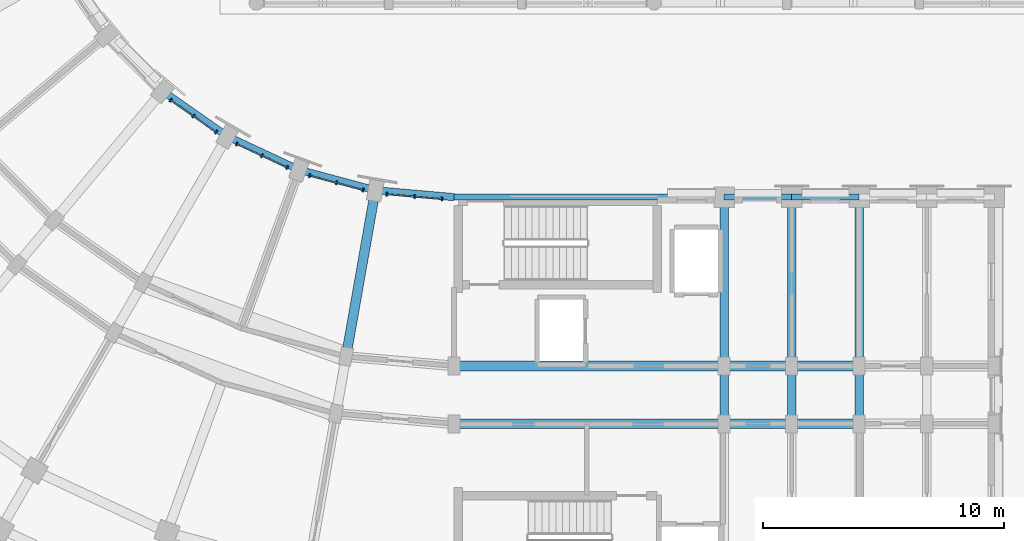
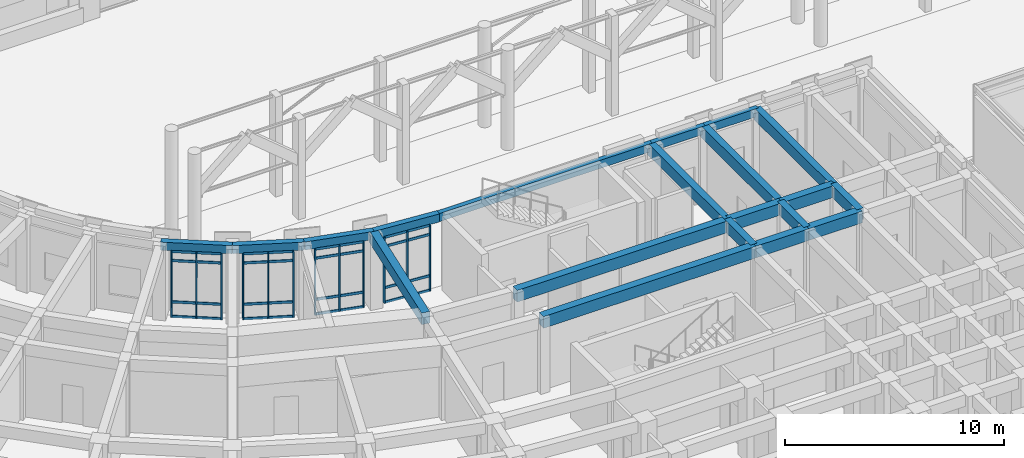
# One storey, part 18 of 135: 28 members, 20 beams, 4 elements without a shape of their own.
"""IFC4 building model written with IfcOpenShell, lengths in metres."""

from ifc_helpers import new_model, si_unit, direction, frame, origin, origin_2d, place, context, subcontext, project, spatial, rectangle, extrude, material, material_profile, profile_set, type_object, element, aggregate, save


model = new_model("IFC4")

# Units and contexts
model_context = context("Model", 3, precision=1e-05, world=origin(), true_north=direction((0.0, 1.0)))
body_context = subcontext(model_context, "Body", "Model", "MODEL_VIEW")
ifc_project = project(units=[si_unit("LENGTHUNIT", "METRE"), si_unit("AREAUNIT", "SQUARE_METRE"), si_unit("VOLUMEUNIT", "CUBIC_METRE"), si_unit("PLANEANGLEUNIT", "RADIAN"), si_unit("MASSUNIT", "GRAM", prefix="KILO")], contexts=[model_context])

# Site, building, storey
site_placement = place(None, origin())
site = spatial("IfcSite", under=ifc_project, at=site_placement, CompositionType="ELEMENT")
building_placement = place(site_placement, origin())
building = spatial("IfcBuilding", under=site, at=building_placement, Name="Kiranvali Square Residences", CompositionType="ELEMENT")
storey_placement = place(building_placement, origin())
storey = spatial("IfcBuildingStorey", under=building, at=storey_placement, Name="L00", CompositionType="ELEMENT", Elevation=0.0)

# Beams
ifc_material_1 = material(Name="Concrete M40 (40 MPa)", Category="concrete")
ifc_material_profile_1 = material_profile(ifc_material_1, rectangle(XDim=0.35009765625, YDim=0.64990234375, at=origin_2d()), Name="RC 350x650")
ifc_profile_set_1 = profile_set([ifc_material_profile_1], Name="Concrete M40 (40 MPa)")
beam_type_1 = type_object("IfcBeamType", Name="BM-M40-350x650", PredefinedType="BEAM", material=ifc_profile_set_1)
beam_1_placement = place(storey_placement, frame((59.39990234375, 29.39990234375, 3.824951171875), z_axis=(0.0, -1.0, 0.0), x_axis=(1.0, 0.0, 0.0)))
element("IfcBeam", 1, at=beam_1_placement, inside=storey, type_object=beam_type_1, Name="L00 beam BM-C-L00-A1T1-01", PredefinedType="BEAM", context=body_context, shape_type="SweptSolid", body=[
    extrude(rectangle(XDim=0.35009765625, YDim=0.64990234375, at=origin_2d()), origin(), (0.0, 0.0, 1.0), 7.0),
])
beam_2_placement = place(storey_placement, frame((59.39990234375, 22.39990234375, 3.824951171875), z_axis=(0.0, -1.0, 0.0), x_axis=(1.0, 0.0, 0.0)))
element("IfcBeam", 2, at=beam_2_placement, inside=storey, type_object=beam_type_1, Name="L00 beam BM-C-L00-A1T1-12", PredefinedType="BEAM", context=body_context, shape_type="SweptSolid", body=[
    extrude(rectangle(XDim=0.35009765625, YDim=0.64990234375, at=origin_2d()), origin(), (0.0, 0.0, 1.0), 2.39990234375),
])
beam_3_placement = place(storey_placement, frame((62.199951171875, 29.39990234375, 3.824951171875), z_axis=(0.0, -1.0, 0.0), x_axis=(1.0, 0.0, 0.0)))
element("IfcBeam", 3, at=beam_3_placement, inside=storey, type_object=beam_type_1, Name="L00 beam BM-C-L00-A1T2-01", PredefinedType="BEAM", context=body_context, shape_type="SweptSolid", body=[
    extrude(rectangle(XDim=0.35009765625, YDim=0.64990234375, at=origin_2d()), origin(), (0.0, 0.0, 1.0), 7.0),
])
beam_4_placement = place(storey_placement, frame((62.199951171875, 22.39990234375, 3.824951171875), z_axis=(0.0, -1.0, 0.0), x_axis=(1.0, 0.0, 0.0)))
element("IfcBeam", 4, at=beam_4_placement, inside=storey, type_object=beam_type_1, Name="L00 beam BM-C-L00-A1T2-12", PredefinedType="BEAM", context=body_context, shape_type="SweptSolid", body=[
    extrude(rectangle(XDim=0.35009765625, YDim=0.64990234375, at=origin_2d()), origin(), (0.0, 0.0, 1.0), 2.39990234375),
])
beam_5_placement = place(storey_placement, frame((65.0, 29.39990234375, 3.824951171875), z_axis=(0.0, -1.0, 0.0), x_axis=(1.0, 0.0, 0.0)))
element("IfcBeam", 5, at=beam_5_placement, inside=storey, type_object=beam_type_1, Name="L00 beam BM-C-L00-A1T3-01", PredefinedType="BEAM", context=body_context, shape_type="SweptSolid", body=[
    extrude(rectangle(XDim=0.35009765625, YDim=0.64990234375, at=origin_2d()), origin(), (0.0, 0.0, 1.0), 7.0),
])
beam_6_placement = place(storey_placement, frame((65.0, 22.39990234375, 3.824951171875), z_axis=(0.0, -1.0, 0.0), x_axis=(1.0, 0.0, 0.0)))
element("IfcBeam", 6, at=beam_6_placement, inside=storey, type_object=beam_type_1, Name="L00 beam BM-C-L00-A1T3-12", PredefinedType="BEAM", context=body_context, shape_type="SweptSolid", body=[
    extrude(rectangle(XDim=0.35009765625, YDim=0.64990234375, at=origin_2d()), origin(), (0.0, 0.0, 1.0), 2.39990234375),
])
ifc_material_2 = material(Name="Concrete M45 (45 MPa)", Category="concrete")
ifc_material_profile_2 = material_profile(ifc_material_2, rectangle(XDim=0.39990234375, YDim=0.64990234375, at=origin_2d()), Name="RC 400x650")
ifc_profile_set_2 = profile_set([ifc_material_profile_2], Name="Concrete M45 (45 MPa)")
beam_type_2 = type_object("IfcBeamType", Name="BM-M45-400x650", PredefinedType="BEAM", material=ifc_profile_set_2)
beam_7_placement = place(storey_placement, frame((44.935302734375, 29.685546875, 3.824951171875), z_axis=(-0.173622177865, -0.984812337125, 0.0), x_axis=(0.984812337125, -0.173622177865, 0.0)))
element("IfcBeam", 7, at=beam_7_placement, inside=storey, type_object=beam_type_2, Name="L00 beam BM-C-L00-RAD01-01", PredefinedType="BEAM", context=body_context, shape_type="SweptSolid", body=[
    extrude(rectangle(XDim=0.39990234375, YDim=0.64990234375, at=origin_2d()), origin(), (0.0, 0.0, 1.0), 6.999755859375),
])
beam_8_placement = place(storey_placement, frame((48.199951171875, 22.39990234375, 3.824951171875), z_axis=(1.0, 0.0, 0.0), x_axis=(0.0, 1.0, 0.0)))
element("IfcBeam", 8, at=beam_8_placement, inside=storey, type_object=beam_type_2, Name="L00 beam BM-C-L00-A1U0-R1", PredefinedType="BEAM", context=body_context, shape_type="SweptSolid", body=[
    extrude(rectangle(XDim=0.39990234375, YDim=0.64990234375, at=origin_2d()), origin(), (0.0, 0.0, 1.0), 11.199951171875),
])
for number, where, z_axis, x_axis, name in (
    (9, (59.39990234375, 22.39990234375, 3.824951171875), (1.0, 0.0, 0.0), (0.0, 1.0, 0.0), "L00 beam BM-C-L00-A1U1-R1"),
    (10, (62.199951171875, 22.39990234375, 3.824951171875), (1.0, 0.0, 0.0), (0.0, 1.0, 0.0), "L00 beam BM-C-L00-A1U2-R1"),
):
    element("IfcBeam", number, at=place(storey_placement, frame(where, z_axis=z_axis, x_axis=x_axis)), inside=storey, type_object=beam_type_2, Name=name, PredefinedType="BEAM", context=body_context, shape_type="SweptSolid", body=[
        extrude(rectangle(XDim=0.39990234375, YDim=0.64990234375, at=origin_2d()), origin(), (0.0, 0.0, 1.0), 2.800048828125),
    ])
beam_9_placement = place(storey_placement, frame((48.199951171875, 20.0, 3.824951171875), z_axis=(1.0, 0.0, 0.0), x_axis=(0.0, 1.0, 0.0)))
element("IfcBeam", 11, at=beam_9_placement, inside=storey, type_object=beam_type_2, Name="L00 beam BM-C-L00-A1U0-R2", PredefinedType="BEAM", context=body_context, shape_type="SweptSolid", body=[
    extrude(rectangle(XDim=0.39990234375, YDim=0.64990234375, at=origin_2d()), origin(), (0.0, 0.0, 1.0), 11.199951171875),
])
for number, where, z_axis, x_axis, name in (
    (12, (59.39990234375, 20.0, 3.824951171875), (1.0, 0.0, 0.0), (0.0, 1.0, 0.0), "L00 beam BM-C-L00-A1U1-R2"),
    (13, (62.199951171875, 20.0, 3.824951171875), (1.0, 0.0, 0.0), (0.0, 1.0, 0.0), "L00 beam BM-C-L00-A1U2-R2"),
):
    element("IfcBeam", number, at=place(storey_placement, frame(where, z_axis=z_axis, x_axis=x_axis)), inside=storey, type_object=beam_type_2, Name=name, PredefinedType="BEAM", context=body_context, shape_type="SweptSolid", body=[
        extrude(rectangle(XDim=0.39990234375, YDim=0.64990234375, at=origin_2d()), origin(), (0.0, 0.0, 1.0), 2.800048828125),
    ])

# Curtain wall, members
ifc_material_3 = material(Name="Anodised bronze aluminium framing", Category="aluminium")
curtain_wall_type = type_object("IfcCurtainWallType", Name="CW-RET-SHOP", PredefinedType="USERDEFINED", material=ifc_material_3)
curtain_wall_1_placement = place(storey_placement, origin())
curtain_wall_1 = element("IfcCurtainWall", 14, at=curtain_wall_1_placement, inside=storey, type_object=curtain_wall_type, Name="Block C L00 garden foyer curtain wall 1", ObjectType="CURTAIN WALL", PredefinedType="USERDEFINED")
ifc_material_profile_3 = material_profile(ifc_material_3, rectangle(XDim=0.06494140625, YDim=0.159912109375, at=origin_2d()), Name="ALU 65x160")
ifc_profile_set_3 = profile_set([ifc_material_profile_3], Name="Anodised bronze aluminium framing")
member_type_1 = type_object("IfcMemberType", Name="CW-MUL-160", PredefinedType="MULLION", material=ifc_profile_set_3)
member_1_placement = place(storey_placement, frame((47.701416015625, 29.3232421875, 0.02001953125), z_axis=(0.0, 0.0, 1.0), x_axis=(-0.996194698092, 0.087155742748, 0.0)))
member_1 = element("IfcMember", 15, at=member_1_placement, type_object=member_type_1, Name="CW-C-L00-GDN-00 vertical mullion 1", PredefinedType="MULLION", context=body_context, shape_type="SweptSolid", body=[
    extrude(rectangle(XDim=0.06494140625, YDim=0.159912109375, at=origin_2d()), origin(), (0.0, 0.0, 1.0), 3.659912109375),
])
member_2_placement = place(storey_placement, frame((46.55712890625, 29.42333984375, 0.02001953125), z_axis=(0.0, 0.0, 1.0), x_axis=(-0.996194698092, 0.087155742748, 0.0)))
member_2 = element("IfcMember", 16, at=member_2_placement, type_object=member_type_1, Name="CW-C-L00-GDN-00 vertical mullion 2", PredefinedType="MULLION", context=body_context, shape_type="SweptSolid", body=[
    extrude(rectangle(XDim=0.06494140625, YDim=0.159912109375, at=origin_2d()), origin(), (0.0, 0.0, 1.0), 3.659912109375),
])
member_3_placement = place(storey_placement, frame((45.4130859375, 29.5234375, 0.02001953125), z_axis=(0.0, 0.0, 1.0), x_axis=(-0.996194698092, 0.087155742748, 0.0)))
member_3 = element("IfcMember", 17, at=member_3_placement, type_object=member_type_1, Name="CW-C-L00-GDN-00 vertical mullion 3", PredefinedType="MULLION", context=body_context, shape_type="SweptSolid", body=[
    extrude(rectangle(XDim=0.06494140625, YDim=0.159912109375, at=origin_2d()), origin(), (0.0, 0.0, 1.0), 3.659912109375),
])

curtain_wall_2_placement = place(storey_placement, origin())
curtain_wall_2 = element("IfcCurtainWall", 18, at=curtain_wall_2_placement, inside=storey, type_object=curtain_wall_type, Name="Block C L00 garden foyer curtain wall 2", ObjectType="CURTAIN WALL", PredefinedType="USERDEFINED")
member_4_placement = place(storey_placement, frame((44.43115234375, 29.696533203125, 0.02001953125), z_axis=(0.0, 0.0, 1.0), x_axis=(-0.965925826289, 0.258819045103, 0.0)))
member_4 = element("IfcMember", 19, at=member_4_placement, type_object=member_type_1, Name="CW-C-L00-GDN-01 vertical mullion 1", PredefinedType="MULLION", context=body_context, shape_type="SweptSolid", body=[
    extrude(rectangle(XDim=0.06494140625, YDim=0.159912109375, at=origin_2d()), origin(), (0.0, 0.0, 1.0), 3.659912109375),
])
member_5_placement = place(storey_placement, frame((43.32177734375, 29.993896484375, 0.02001953125), z_axis=(0.0, 0.0, 1.0), x_axis=(-0.965925826289, 0.258819045103, 0.0)))
member_5 = element("IfcMember", 20, at=member_5_placement, type_object=member_type_1, Name="CW-C-L00-GDN-01 vertical mullion 2", PredefinedType="MULLION", context=body_context, shape_type="SweptSolid", body=[
    extrude(rectangle(XDim=0.06494140625, YDim=0.159912109375, at=origin_2d()), origin(), (0.0, 0.0, 1.0), 3.659912109375),
])
member_6_placement = place(storey_placement, frame((42.212158203125, 30.291015625, 0.02001953125), z_axis=(0.0, 0.0, 1.0), x_axis=(-0.965925826289, 0.258819045103, 0.0)))
member_6 = element("IfcMember", 21, at=member_6_placement, type_object=member_type_1, Name="CW-C-L00-GDN-01 vertical mullion 3", PredefinedType="MULLION", context=body_context, shape_type="SweptSolid", body=[
    extrude(rectangle(XDim=0.06494140625, YDim=0.159912109375, at=origin_2d()), origin(), (0.0, 0.0, 1.0), 3.659912109375),
])

curtain_wall_3_placement = place(storey_placement, origin())
curtain_wall_3 = element("IfcCurtainWall", 22, at=curtain_wall_3_placement, inside=storey, type_object=curtain_wall_type, Name="Block C L00 garden foyer curtain wall 3", ObjectType="CURTAIN WALL", PredefinedType="USERDEFINED")
member_7_placement = place(storey_placement, frame((41.275146484375, 30.632080078125, 0.02001953125), z_axis=(0.0, 0.0, 1.0), x_axis=(-0.906307787037, 0.422618261741, 0.0)))
member_7 = element("IfcMember", 23, at=member_7_placement, type_object=member_type_1, Name="CW-C-L00-GDN-02 vertical mullion 1", PredefinedType="MULLION", context=body_context, shape_type="SweptSolid", body=[
    extrude(rectangle(XDim=0.06494140625, YDim=0.159912109375, at=origin_2d()), origin(), (0.0, 0.0, 1.0), 3.659912109375),
])
member_8_placement = place(storey_placement, frame((40.234375, 31.117431640625, 0.02001953125), z_axis=(0.0, 0.0, 1.0), x_axis=(-0.906307787037, 0.422618261741, 0.0)))
member_8 = element("IfcMember", 24, at=member_8_placement, type_object=member_type_1, Name="CW-C-L00-GDN-02 vertical mullion 2", PredefinedType="MULLION", context=body_context, shape_type="SweptSolid", body=[
    extrude(rectangle(XDim=0.06494140625, YDim=0.159912109375, at=origin_2d()), origin(), (0.0, 0.0, 1.0), 3.659912109375),
])
member_9_placement = place(storey_placement, frame((39.193359375, 31.602783203125, 0.02001953125), z_axis=(0.0, 0.0, 1.0), x_axis=(-0.906307787037, 0.422618261741, 0.0)))
member_9 = element("IfcMember", 25, at=member_9_placement, type_object=member_type_1, Name="CW-C-L00-GDN-02 vertical mullion 3", PredefinedType="MULLION", context=body_context, shape_type="SweptSolid", body=[
    extrude(rectangle(XDim=0.06494140625, YDim=0.159912109375, at=origin_2d()), origin(), (0.0, 0.0, 1.0), 3.659912109375),
])

curtain_wall_4_placement = place(storey_placement, origin())
curtain_wall_4 = element("IfcCurtainWall", 26, at=curtain_wall_4_placement, inside=storey, type_object=curtain_wall_type, Name="Block C L00 garden foyer curtain wall 4", ObjectType="CURTAIN WALL", PredefinedType="USERDEFINED")
member_10_placement = place(storey_placement, frame((38.329833984375, 32.1015625, 0.02001953125), z_axis=(0.0, 0.0, 1.0), x_axis=(-0.819152044289, 0.573576436351, 0.0)))
member_10 = element("IfcMember", 27, at=member_10_placement, type_object=member_type_1, Name="CW-C-L00-GDN-03 vertical mullion 1", PredefinedType="MULLION", context=body_context, shape_type="SweptSolid", body=[
    extrude(rectangle(XDim=0.06494140625, YDim=0.159912109375, at=origin_2d()), origin(), (0.0, 0.0, 1.0), 3.659912109375),
])
member_11_placement = place(storey_placement, frame((37.388916015625, 32.76025390625, 0.02001953125), z_axis=(0.0, 0.0, 1.0), x_axis=(-0.819152044289, 0.573576436351, 0.0)))
member_11 = element("IfcMember", 28, at=member_11_placement, type_object=member_type_1, Name="CW-C-L00-GDN-03 vertical mullion 2", PredefinedType="MULLION", context=body_context, shape_type="SweptSolid", body=[
    extrude(rectangle(XDim=0.06494140625, YDim=0.159912109375, at=origin_2d()), origin(), (0.0, 0.0, 1.0), 3.659912109375),
])
member_12_placement = place(storey_placement, frame((36.4482421875, 33.4189453125, 0.02001953125), z_axis=(0.0, 0.0, 1.0), x_axis=(-0.819152044289, 0.573576436351, 0.0)))
member_12 = element("IfcMember", 29, at=member_12_placement, type_object=member_type_1, Name="CW-C-L00-GDN-03 vertical mullion 3", PredefinedType="MULLION", context=body_context, shape_type="SweptSolid", body=[
    extrude(rectangle(XDim=0.06494140625, YDim=0.159912109375, at=origin_2d()), origin(), (0.0, 0.0, 1.0), 3.659912109375),
])

# Member
ifc_material_profile_4 = material_profile(ifc_material_3, rectangle(XDim=0.06494140625, YDim=0.139892578125, at=origin_2d()), Name="ALU 65x140")
ifc_profile_set_4 = profile_set([ifc_material_profile_4], Name="Anodised bronze aluminium framing")
member_type_2 = type_object("IfcMemberType", Name="CW-TRN-140", PredefinedType="MULLION", material=ifc_profile_set_4)
member_13_placement = place(storey_placement, frame((47.69140625, 29.323974609375, 0.0400390625), z_axis=(-0.996193368341, 0.08717094053, 0.0), x_axis=(-0.08717094053, -0.996193368341, 0.0)))
member_13 = element("IfcMember", 30, at=member_13_placement, type_object=member_type_2, Name="CW-C-L00-GDN-00 horizontal transom 1", PredefinedType="MULLION", context=body_context, shape_type="SweptSolid", body=[
    extrude(rectangle(XDim=0.06494140625, YDim=0.139892578125, at=origin_2d()), origin(), (0.0, 0.0, 1.0), 2.277099609375),
])

member_14_placement = place(storey_placement, frame((47.69140625, 29.323974609375, 0.85009765625), z_axis=(-0.996193368341, 0.08717094053, 0.0), x_axis=(-0.08717094053, -0.996193368341, 0.0)))
member_14 = element("IfcMember", 31, at=member_14_placement, type_object=member_type_2, Name="CW-C-L00-GDN-00 horizontal transom 2", PredefinedType="MULLION", context=body_context, shape_type="SweptSolid", body=[
    extrude(rectangle(XDim=0.06494140625, YDim=0.139892578125, at=origin_2d()), origin(), (0.0, 0.0, 1.0), 2.277099609375),
])

member_15_placement = place(storey_placement, frame((47.69140625, 29.323974609375, 3.14990234375), z_axis=(-0.996193368341, 0.08717094053, 0.0), x_axis=(-0.08717094053, -0.996193368341, 0.0)))
member_15 = element("IfcMember", 32, at=member_15_placement, type_object=member_type_2, Name="CW-C-L00-GDN-00 horizontal transom 3", PredefinedType="MULLION", context=body_context, shape_type="SweptSolid", body=[
    extrude(rectangle(XDim=0.06494140625, YDim=0.139892578125, at=origin_2d()), origin(), (0.0, 0.0, 1.0), 2.277099609375),
])

member_16_placement = place(storey_placement, frame((47.69140625, 29.323974609375, 3.659912109375), z_axis=(-0.996193368341, 0.08717094053, 0.0), x_axis=(-0.08717094053, -0.996193368341, 0.0)))
member_16 = element("IfcMember", 33, at=member_16_placement, type_object=member_type_2, Name="CW-C-L00-GDN-00 horizontal transom 4", PredefinedType="MULLION", context=body_context, shape_type="SweptSolid", body=[
    extrude(rectangle(XDim=0.06494140625, YDim=0.139892578125, at=origin_2d()), origin(), (0.0, 0.0, 1.0), 2.277099609375),
])

aggregate(curtain_wall_1, [member_1, member_2, member_3, member_13, member_14, member_15, member_16])

member_17_placement = place(storey_placement, frame((44.42138671875, 29.69921875, 0.0400390625), z_axis=(-0.965924600635, 0.258823619262, 0.0), x_axis=(-0.258823619262, -0.965924600635, 0.0)))
member_17 = element("IfcMember", 34, at=member_17_placement, type_object=member_type_2, Name="CW-C-L00-GDN-01 horizontal transom 1", PredefinedType="MULLION", context=body_context, shape_type="SweptSolid", body=[
    extrude(rectangle(XDim=0.06494140625, YDim=0.139892578125, at=origin_2d()), origin(), (0.0, 0.0, 1.0), 2.277099609375),
])

member_18_placement = place(storey_placement, frame((44.42138671875, 29.69921875, 0.85009765625), z_axis=(-0.965924600635, 0.258823619262, 0.0), x_axis=(-0.258823619262, -0.965924600635, 0.0)))
member_18 = element("IfcMember", 35, at=member_18_placement, type_object=member_type_2, Name="CW-C-L00-GDN-01 horizontal transom 2", PredefinedType="MULLION", context=body_context, shape_type="SweptSolid", body=[
    extrude(rectangle(XDim=0.06494140625, YDim=0.139892578125, at=origin_2d()), origin(), (0.0, 0.0, 1.0), 2.277099609375),
])

member_19_placement = place(storey_placement, frame((44.42138671875, 29.69921875, 3.14990234375), z_axis=(-0.965924600635, 0.258823619262, 0.0), x_axis=(-0.258823619262, -0.965924600635, 0.0)))
member_19 = element("IfcMember", 36, at=member_19_placement, type_object=member_type_2, Name="CW-C-L00-GDN-01 horizontal transom 3", PredefinedType="MULLION", context=body_context, shape_type="SweptSolid", body=[
    extrude(rectangle(XDim=0.06494140625, YDim=0.139892578125, at=origin_2d()), origin(), (0.0, 0.0, 1.0), 2.277099609375),
])

member_20_placement = place(storey_placement, frame((44.42138671875, 29.69921875, 3.659912109375), z_axis=(-0.965924600635, 0.258823619262, 0.0), x_axis=(-0.258823619262, -0.965924600635, 0.0)))
member_20 = element("IfcMember", 37, at=member_20_placement, type_object=member_type_2, Name="CW-C-L00-GDN-01 horizontal transom 4", PredefinedType="MULLION", context=body_context, shape_type="SweptSolid", body=[
    extrude(rectangle(XDim=0.06494140625, YDim=0.139892578125, at=origin_2d()), origin(), (0.0, 0.0, 1.0), 2.277099609375),
])

aggregate(curtain_wall_2, [member_4, member_5, member_6, member_17, member_18, member_19, member_20])

member_21_placement = place(storey_placement, frame((41.26611328125, 30.63623046875, 0.0400390625), z_axis=(-0.906295410754, 0.42264480175, 0.0), x_axis=(-0.42264480175, -0.906295410754, 0.0)))
member_21 = element("IfcMember", 38, at=member_21_placement, type_object=member_type_2, Name="CW-C-L00-GDN-02 horizontal transom 1", PredefinedType="MULLION", context=body_context, shape_type="SweptSolid", body=[
    extrude(rectangle(XDim=0.06494140625, YDim=0.139892578125, at=origin_2d()), origin(), (0.0, 0.0, 1.0), 2.277099609375),
])

member_22_placement = place(storey_placement, frame((41.26611328125, 30.63623046875, 0.85009765625), z_axis=(-0.906295410754, 0.42264480175, 0.0), x_axis=(-0.42264480175, -0.906295410754, 0.0)))
member_22 = element("IfcMember", 39, at=member_22_placement, type_object=member_type_2, Name="CW-C-L00-GDN-02 horizontal transom 2", PredefinedType="MULLION", context=body_context, shape_type="SweptSolid", body=[
    extrude(rectangle(XDim=0.06494140625, YDim=0.139892578125, at=origin_2d()), origin(), (0.0, 0.0, 1.0), 2.277099609375),
])

member_23_placement = place(storey_placement, frame((41.26611328125, 30.63623046875, 3.14990234375), z_axis=(-0.906295410754, 0.42264480175, 0.0), x_axis=(-0.42264480175, -0.906295410754, 0.0)))
member_23 = element("IfcMember", 40, at=member_23_placement, type_object=member_type_2, Name="CW-C-L00-GDN-02 horizontal transom 3", PredefinedType="MULLION", context=body_context, shape_type="SweptSolid", body=[
    extrude(rectangle(XDim=0.06494140625, YDim=0.139892578125, at=origin_2d()), origin(), (0.0, 0.0, 1.0), 2.277099609375),
])

member_24_placement = place(storey_placement, frame((41.26611328125, 30.63623046875, 3.659912109375), z_axis=(-0.906295410754, 0.42264480175, 0.0), x_axis=(-0.42264480175, -0.906295410754, 0.0)))
member_24 = element("IfcMember", 41, at=member_24_placement, type_object=member_type_2, Name="CW-C-L00-GDN-02 horizontal transom 4", PredefinedType="MULLION", context=body_context, shape_type="SweptSolid", body=[
    extrude(rectangle(XDim=0.06494140625, YDim=0.139892578125, at=origin_2d()), origin(), (0.0, 0.0, 1.0), 2.277099609375),
])

aggregate(curtain_wall_3, [member_7, member_8, member_9, member_21, member_22, member_23, member_24])

member_25_placement = place(storey_placement, frame((38.321533203125, 32.107177734375, 0.0400390625), z_axis=(-0.819131167898, 0.573606249772, 0.0), x_axis=(-0.573606249772, -0.819131167898, 0.0)))
member_25 = element("IfcMember", 42, at=member_25_placement, type_object=member_type_2, Name="CW-C-L00-GDN-03 horizontal transom 1", PredefinedType="MULLION", context=body_context, shape_type="SweptSolid", body=[
    extrude(rectangle(XDim=0.06494140625, YDim=0.139892578125, at=origin_2d()), origin(), (0.0, 0.0, 1.0), 2.277099609375),
])

member_26_placement = place(storey_placement, frame((38.321533203125, 32.107177734375, 0.85009765625), z_axis=(-0.819131167898, 0.573606249772, 0.0), x_axis=(-0.573606249772, -0.819131167898, 0.0)))
member_26 = element("IfcMember", 43, at=member_26_placement, type_object=member_type_2, Name="CW-C-L00-GDN-03 horizontal transom 2", PredefinedType="MULLION", context=body_context, shape_type="SweptSolid", body=[
    extrude(rectangle(XDim=0.06494140625, YDim=0.139892578125, at=origin_2d()), origin(), (0.0, 0.0, 1.0), 2.277099609375),
])

member_27_placement = place(storey_placement, frame((38.321533203125, 32.107177734375, 3.14990234375), z_axis=(-0.819131167898, 0.573606249772, 0.0), x_axis=(-0.573606249772, -0.819131167898, 0.0)))
member_27 = element("IfcMember", 44, at=member_27_placement, type_object=member_type_2, Name="CW-C-L00-GDN-03 horizontal transom 3", PredefinedType="MULLION", context=body_context, shape_type="SweptSolid", body=[
    extrude(rectangle(XDim=0.06494140625, YDim=0.139892578125, at=origin_2d()), origin(), (0.0, 0.0, 1.0), 2.277099609375),
])

member_28_placement = place(storey_placement, frame((38.321533203125, 32.107177734375, 3.659912109375), z_axis=(-0.819131167898, 0.573606249772, 0.0), x_axis=(-0.573606249772, -0.819131167898, 0.0)))
member_28 = element("IfcMember", 45, at=member_28_placement, type_object=member_type_2, Name="CW-C-L00-GDN-03 horizontal transom 4", PredefinedType="MULLION", context=body_context, shape_type="SweptSolid", body=[
    extrude(rectangle(XDim=0.06494140625, YDim=0.139892578125, at=origin_2d()), origin(), (0.0, 0.0, 1.0), 2.277099609375),
])

aggregate(curtain_wall_4, [member_10, member_11, member_12, member_25, member_26, member_27, member_28])

# Beams
ifc_material_profile_5 = material_profile(ifc_material_1, rectangle(XDim=0.25, YDim=0.449951171875, at=origin_2d()), Name="RC 250x450")
ifc_profile_set_5 = profile_set([ifc_material_profile_5], Name="Concrete M40 (40 MPa)")
beam_type_3 = type_object("IfcBeamType", Name="SPN-M40-250x450", PredefinedType="SPANDREL", material=ifc_profile_set_5)
beam_10_placement = place(storey_placement, frame((48.199951171875, 29.39990234375, 3.925048828125), z_axis=(1.0, 0.0, 0.0), x_axis=(0.0, 1.0, 0.0)))
element("IfcBeam", 46, at=beam_10_placement, inside=storey, type_object=beam_type_3, Name="L00 beam BM-C-L00-A1U0-R0", PredefinedType="SPANDREL", context=body_context, shape_type="SweptSolid", body=[
    extrude(rectangle(XDim=0.25, YDim=0.449951171875, at=origin_2d()), origin(), (0.0, 0.0, 1.0), 11.199951171875),
])
for number, where, z_axis, x_axis, name in (
    (47, (59.39990234375, 29.39990234375, 3.925048828125), (1.0, 0.0, 0.0), (0.0, 1.0, 0.0), "L00 beam BM-C-L00-A1U1-R0"),
    (48, (62.199951171875, 29.39990234375, 3.925048828125), (1.0, 0.0, 0.0), (0.0, 1.0, 0.0), "L00 beam BM-C-L00-A1U2-R0"),
):
    element("IfcBeam", number, at=place(storey_placement, frame(where, z_axis=z_axis, x_axis=x_axis)), inside=storey, type_object=beam_type_3, Name=name, PredefinedType="SPANDREL", context=body_context, shape_type="SweptSolid", body=[
        extrude(rectangle(XDim=0.25, YDim=0.449951171875, at=origin_2d()), origin(), (0.0, 0.0, 1.0), 2.800048828125),
    ])
ifc_material_profile_6 = material_profile(ifc_material_1, rectangle(XDim=0.300048828125, YDim=0.449951171875, at=origin_2d()), Name="RC 300x450")
ifc_profile_set_6 = profile_set([ifc_material_profile_6], Name="Concrete M40 (40 MPa)")
beam_type_4 = type_object("IfcBeamType", Name="SPN-M40-300x450", PredefinedType="SPANDREL", material=ifc_profile_set_6)
beam_11_placement = place(storey_placement, frame((48.199951171875, 29.39990234375, 3.925048828125), z_axis=(-0.996194040944, 0.087163253657, 0.0), x_axis=(-0.087163253657, -0.996194040944, 0.0)))
element("IfcBeam", 49, at=beam_11_placement, inside=storey, type_object=beam_type_4, Name="L00 beam BM-C-L00-C00-R0", PredefinedType="SPANDREL", context=body_context, shape_type="SweptSolid", body=[
    extrude(rectangle(XDim=0.300048828125, YDim=0.449951171875, at=origin_2d()), origin(), (0.0, 0.0, 1.0), 3.277099609375),
])
beam_12_placement = place(storey_placement, frame((44.935302734375, 29.685546875, 3.925048828125), z_axis=(-0.965925105099, 0.258821736607, 0.0), x_axis=(-0.258821736607, -0.965925105099, 0.0)))
element("IfcBeam", 50, at=beam_12_placement, inside=storey, type_object=beam_type_4, Name="L00 beam BM-C-L00-C01-R0", PredefinedType="SPANDREL", context=body_context, shape_type="SweptSolid", body=[
    extrude(rectangle(XDim=0.300048828125, YDim=0.449951171875, at=origin_2d()), origin(), (0.0, 0.0, 1.0), 3.27685546875),
])
for number, where, z_axis, x_axis, name in (
    (51, (41.77001953125, 30.53369140625, 3.925048828125), (-0.90629730464, 0.422640740585, 0.0), (-0.422640740585, -0.90629730464, 0.0), "L00 beam BM-C-L00-C02-R0"),
    (52, (38.800048828125, 31.918701171875, 3.925048828125), (-0.81916891812, 0.573552337269, 0.0), (-0.573552337269, -0.81916891812, 0.0), "L00 beam BM-C-L00-C03-R0"),
):
    element("IfcBeam", number, at=place(storey_placement, frame(where, z_axis=z_axis, x_axis=x_axis)), inside=storey, type_object=beam_type_4, Name=name, PredefinedType="SPANDREL", context=body_context, shape_type="SweptSolid", body=[
        extrude(rectangle(XDim=0.300048828125, YDim=0.449951171875, at=origin_2d()), origin(), (0.0, 0.0, 1.0), 3.277099609375),
    ])

save(model, "model.ifc")
